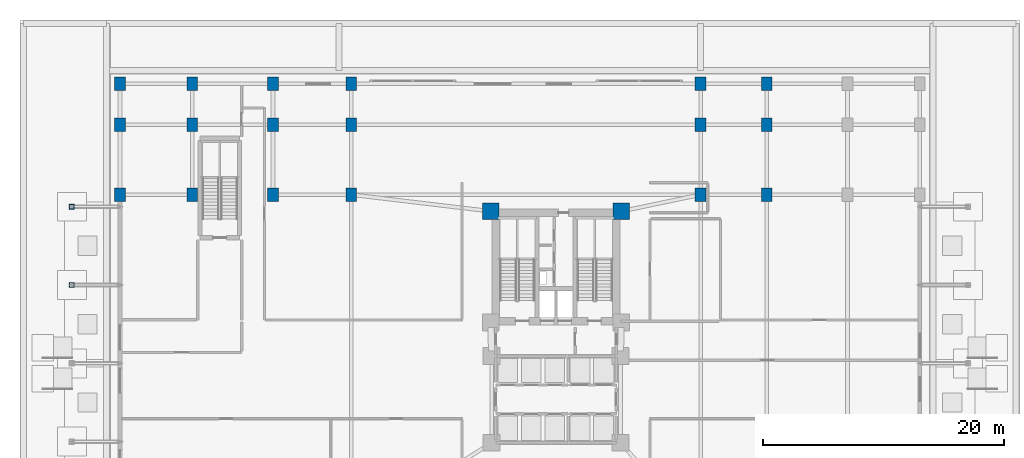
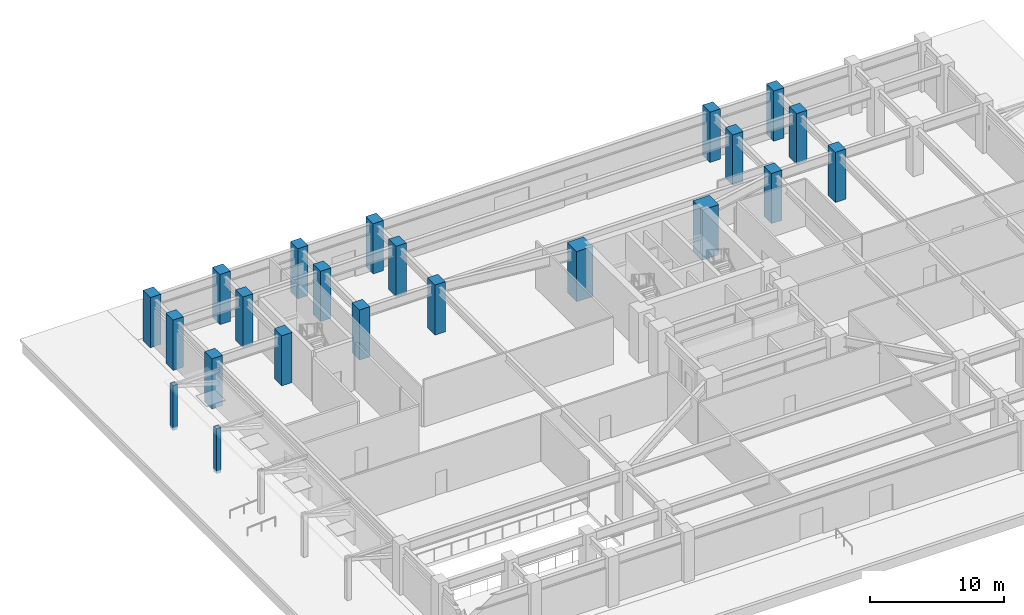
# One storey, part 4 of 23: 22 columns.
"""IFC4 building model written with IfcOpenShell, lengths in metres."""

from ifc_helpers import new_model, si_unit, direction, frame, origin, origin_2d, place, context, subcontext, project, spatial, rectangle, hollow_rectangle, extrude, material, material_profile, profile_set, type_object, element, save


model = new_model("IFC4")

# Units and contexts
model_context = context("Model", 3, precision=1e-05, world=origin(), true_north=direction((0.0, 1.0)))
body_context = subcontext(model_context, "Body", "Model", "MODEL_VIEW")
ifc_project = project(units=[si_unit("LENGTHUNIT", "METRE"), si_unit("AREAUNIT", "SQUARE_METRE"), si_unit("VOLUMEUNIT", "CUBIC_METRE"), si_unit("PLANEANGLEUNIT", "RADIAN"), si_unit("MASSUNIT", "GRAM", prefix="KILO")], contexts=[model_context])

# Site, building, storey
site_placement = place(None, origin())
site = spatial("IfcSite", under=ifc_project, at=site_placement, CompositionType="ELEMENT")
building_placement = place(site_placement, origin())
building = spatial("IfcBuilding", under=site, at=building_placement, Name="Varnakorn Sky Granary", CompositionType="ELEMENT")
storey_placement = place(building_placement, origin())
storey = spatial("IfcBuildingStorey", under=building, at=storey_placement, Name="L00", CompositionType="ELEMENT", Elevation=0.0)

# Columns
ifc_material_1 = material(Name="Concrete C60/75", Category="concrete")
ifc_material_profile_1 = material_profile(ifc_material_1, rectangle(XDim=1.39990234375, YDim=1.39990234375, at=origin_2d()), Name="RC 1400x1400")
ifc_profile_set_1 = profile_set([ifc_material_profile_1], Name="Concrete C60/75")
column_type_1 = type_object("IfcColumnType", Name="COL-MC-Z0", PredefinedType="COLUMN", material=ifc_profile_set_1)
for number, where, z_axis, x_axis, name in (
    (1, (-2.419921875, 12.6201171875, 0.0), (0.0, 0.0, 1.0), (1.0, 0.0, 0.0), "Backbone Mega-Column MC1 L00"),
    (2, (8.419921875, 12.6201171875, 0.0), (0.0, 0.0, 1.0), (1.0, 0.0, 0.0), "Backbone Mega-Column MC2 L00"),
):
    element("IfcColumn", number, at=place(storey_placement, frame(where, z_axis=z_axis, x_axis=x_axis)), inside=storey, type_object=column_type_1, Name=name, PredefinedType="COLUMN", context=body_context, shape_type="SweptSolid", body=[
        extrude(rectangle(XDim=1.39990234375, YDim=1.39990234375, at=origin_2d()), origin(), (0.0, 0.0, 1.0), 4.574951171875),
    ])
ifc_material_2 = material(Name="Steel S460M", Category="steel")
ifc_material_profile_2 = material_profile(ifc_material_2, hollow_rectangle(XDim=0.39990234375, YDim=0.39990234375, WallThickness=0.02001953125, at=origin_2d()), Name="SHS 400x400x20")
ifc_profile_set_2 = profile_set([ifc_material_profile_2], Name="Steel S460M")
column_type_2 = type_object("IfcColumnType", Name="COL-PIL-400", PredefinedType="PILASTER", material=ifc_profile_set_2)
for number, where, z_axis, x_axis, name in (
    (3, (-37.199951171875, 6.5, -0.25), (0.0, 0.0, 1.0), (1.0, 0.0, 0.0), "Plaza Canopy Pilaster CP4"),
    (4, (-37.199951171875, 13.0, -0.25), (0.0, 0.0, 1.0), (1.0, 0.0, 0.0), "Plaza Canopy Pilaster CP5"),
):
    element("IfcColumn", number, at=place(storey_placement, frame(where, z_axis=z_axis, x_axis=x_axis)), inside=storey, type_object=column_type_2, Name=name, PredefinedType="PILASTER", context=body_context, shape_type="SweptSolid", body=[
        extrude(hollow_rectangle(XDim=0.39990234375, YDim=0.39990234375, WallThickness=0.02001953125, at=origin_2d()), origin(), (0.0, 0.0, 1.0), 4.10009765625),
    ])
ifc_material_profile_3 = material_profile(ifc_material_1, rectangle(XDim=0.89990234375, YDim=1.10009765625, at=origin_2d()), Name="RC 900x1100")
ifc_profile_set_3 = profile_set([ifc_material_profile_3], Name="Concrete C60/75")
column_type_3 = type_object("IfcColumnType", Name="COL-POD-1100", PredefinedType="COLUMN", material=ifc_profile_set_3)
for number, where, z_axis, x_axis, name in (
    (5, (-33.199951171875, 14.0, 0.0), (0.0, 0.0, 1.0), (1.0, 0.0, 0.0), "Podium Column P14 L00"),
    (6, (-33.199951171875, 19.800048828125, 0.0), (0.0, 0.0, 1.0), (1.0, 0.0, 0.0), "Podium Column P15 L00"),
    (7, (-33.199951171875, 23.199951171875, 0.0), (0.0, 0.0, 1.0), (1.0, 0.0, 0.0), "Podium Column P16 L00"),
    (8, (-27.199951171875, 14.0, 0.0), (0.0, 0.0, 1.0), (1.0, 0.0, 0.0), "Podium Column P24 L00"),
    (9, (-27.199951171875, 19.800048828125, 0.0), (0.0, 0.0, 1.0), (1.0, 0.0, 0.0), "Podium Column P25 L00"),
    (10, (-27.199951171875, 23.199951171875, 0.0), (0.0, 0.0, 1.0), (1.0, 0.0, 0.0), "Podium Column P26 L00"),
    (11, (-20.5, 14.0, 0.0), (0.0, 0.0, 1.0), (1.0, 0.0, 0.0), "Podium Column P34 L00"),
    (12, (-20.5, 19.800048828125, 0.0), (0.0, 0.0, 1.0), (1.0, 0.0, 0.0), "Podium Column P35 L00"),
    (13, (-20.5, 23.199951171875, 0.0), (0.0, 0.0, 1.0), (1.0, 0.0, 0.0), "Podium Column P36 L00"),
    (14, (-14.0, 14.0, 0.0), (0.0, 0.0, 1.0), (1.0, 0.0, 0.0), "Podium Column P44 L00"),
    (15, (-14.0, 19.800048828125, 0.0), (0.0, 0.0, 1.0), (1.0, 0.0, 0.0), "Podium Column P45 L00"),
    (16, (-14.0, 23.199951171875, 0.0), (0.0, 0.0, 1.0), (1.0, 0.0, 0.0), "Podium Column P46 L00"),
    (17, (15.0, 14.0, 0.0), (0.0, 0.0, 1.0), (1.0, 0.0, 0.0), "Podium Column P54 L00"),
    (18, (15.0, 19.800048828125, 0.0), (0.0, 0.0, 1.0), (1.0, 0.0, 0.0), "Podium Column P55 L00"),
    (19, (15.0, 23.199951171875, 0.0), (0.0, 0.0, 1.0), (1.0, 0.0, 0.0), "Podium Column P56 L00"),
    (20, (20.5, 14.0, 0.0), (0.0, 0.0, 1.0), (1.0, 0.0, 0.0), "Podium Column P64 L00"),
    (21, (20.5, 19.800048828125, 0.0), (0.0, 0.0, 1.0), (1.0, 0.0, 0.0), "Podium Column P65 L00"),
    (22, (20.5, 23.199951171875, 0.0), (0.0, 0.0, 1.0), (1.0, 0.0, 0.0), "Podium Column P66 L00"),
):
    element("IfcColumn", number, at=place(storey_placement, frame(where, z_axis=z_axis, x_axis=x_axis)), inside=storey, type_object=column_type_3, Name=name, PredefinedType="COLUMN", context=body_context, shape_type="SweptSolid", body=[
        extrude(rectangle(XDim=0.89990234375, YDim=1.10009765625, at=origin_2d()), origin(), (0.0, 0.0, 1.0), 4.574951171875),
    ])

save(model, "model.ifc")
